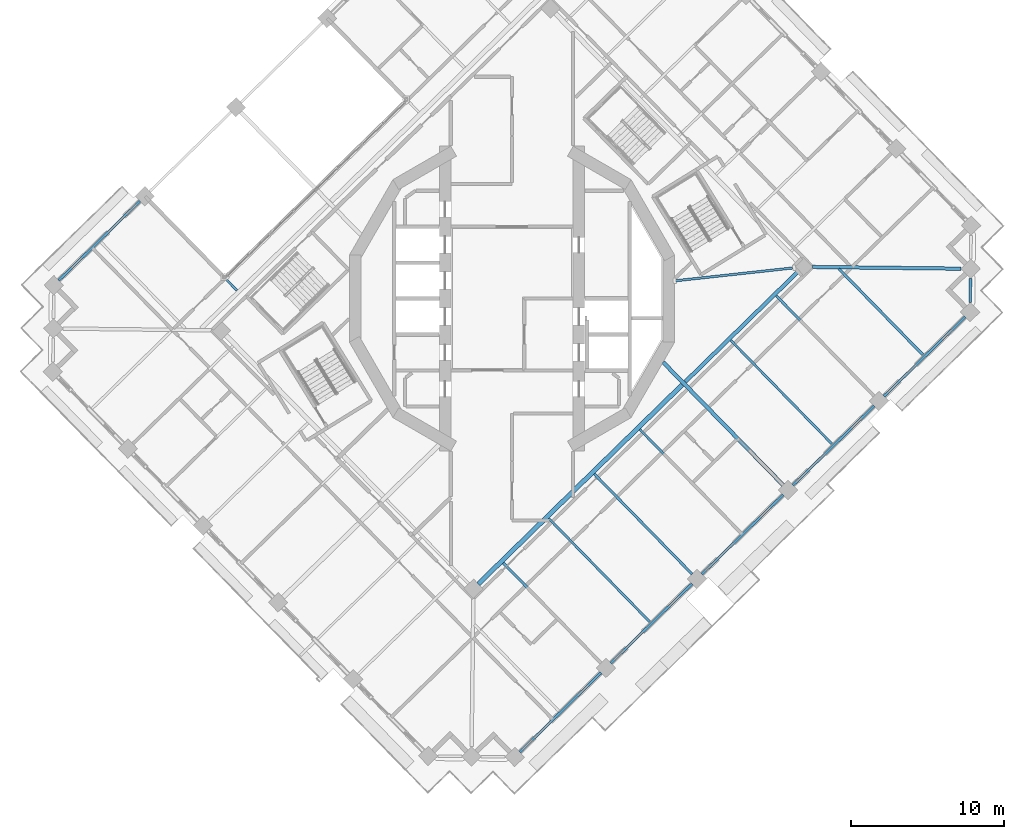
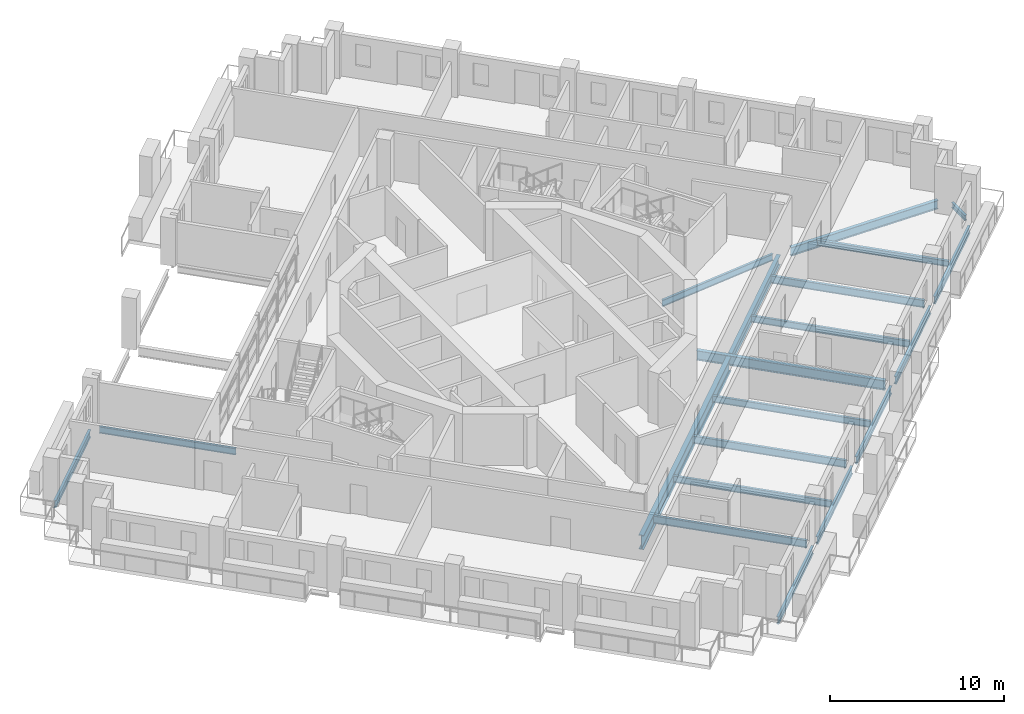
# One storey, part 3 of 21: 20 beams.
"""IFC4 building model written with IfcOpenShell, lengths in metres."""

from ifc_helpers import new_model, si_unit, direction, frame, origin, origin_2d, place, context, subcontext, project, spatial, i_section, extrude, material, material_profile, profile_set, type_object, element, save


model = new_model("IFC4")

# Units and contexts
model_context = context("Model", 3, precision=1e-05, world=origin(), true_north=direction((0.0, 1.0)))
body_context = subcontext(model_context, "Body", "Model", "MODEL_VIEW")
ifc_project = project(units=[si_unit("LENGTHUNIT", "METRE"), si_unit("AREAUNIT", "SQUARE_METRE"), si_unit("VOLUMEUNIT", "CUBIC_METRE"), si_unit("PLANEANGLEUNIT", "RADIAN"), si_unit("MASSUNIT", "GRAM", prefix="KILO")], contexts=[model_context])

# Site, building, storey
site_placement = place(None, origin())
site = spatial("IfcSite", under=ifc_project, at=site_placement, CompositionType="ELEMENT")
building_placement = place(site_placement, origin())
building = spatial("IfcBuilding", under=site, at=building_placement, Name="Cantera Rosa Tower", CompositionType="ELEMENT")
storey_placement = place(building_placement, frame((0.0, 0.0, 234.199951171875)))
storey = spatial("IfcBuildingStorey", under=building, at=storey_placement, Name="L51", CompositionType="ELEMENT", Elevation=234.199951171875)

# Beams
ifc_material_1 = material(Name="Steel ASTM A992 (Fy 345 MPa)", Category="steel")
ifc_material_profile_1 = material_profile(ifc_material_1, i_section(OverallWidth=0.302001953125, OverallDepth=1.010009765625, WebThickness=0.02099609375, FlangeThickness=0.0400390625, FilletRadius=0.030029296875, at=origin_2d()), Name="W1000X350")
ifc_profile_set_1 = profile_set([ifc_material_profile_1], Name="Steel ASTM A992 (Fy 345 MPa)")
beam_type_1 = type_object("IfcBeamType", Name="STEEL BEAM W1000X350", PredefinedType="BEAM", material=ifc_profile_set_1)
beam_1_placement = place(storey_placement, frame((-2.197021484375, -18.643310546875, -0.7548828125), z_axis=(0.715290925107, 0.698826797182, 0.0), x_axis=(-0.698826797182, 0.715290925107, 0.0)))
element("IfcBeam", 1, at=beam_1_placement, inside=storey, type_object=beam_type_1, Name="RB-Z4-03 L51", PredefinedType="BEAM", context=body_context, shape_type="SweptSolid", body=[
    extrude(i_section(OverallWidth=0.302001953125, OverallDepth=1.010009765625, WebThickness=0.02099609375, FlangeThickness=0.0400390625, FilletRadius=0.030029296875, at=origin_2d()), origin(), (0.0, 0.0, 1.0), 18.60986328125),
])
ifc_material_2 = material(Name="Steel ASTM A992 (Fy 345 MPa)", Category="steel")
ifc_material_profile_2 = material_profile(ifc_material_2, i_section(OverallWidth=0.154052734375, OverallDepth=0.4599609375, WebThickness=0.009033203125, FlangeThickness=0.015380859375, FilletRadius=0.01025390625, at=origin_2d()), Name="W460X68")
ifc_profile_set_2 = profile_set([ifc_material_profile_2], Name="Steel ASTM A992 (Fy 345 MPa)")
beam_type_2 = type_object("IfcBeamType", Name="STEEL BEAM W460X68", PredefinedType="BEAM", material=ifc_profile_set_2)
beam_2_placement = place(storey_placement, frame((-23.672119140625, 6.37109375, -0.47998046875), z_axis=(0.698836133494, -0.715281803574, 0.0), x_axis=(0.715281803574, 0.698836133494, 0.0)))
element("IfcBeam", 2, at=beam_2_placement, inside=storey, type_object=beam_type_2, Name="G-Z4-08 L51", PredefinedType="BEAM", context=body_context, shape_type="SweptSolid", body=[
    extrude(i_section(OverallWidth=0.154052734375, OverallDepth=0.4599609375, WebThickness=0.009033203125, FlangeThickness=0.015380859375, FilletRadius=0.01025390625, at=origin_2d()), origin(), (0.0, 0.0, 1.0), 8.150146484375),
])
beam_3_placement = place(storey_placement, frame((18.44287109375, 2.014892578125, -0.47998046875), z_axis=(-0.994086100692, -0.108594771563, 0.0), x_axis=(0.108594771563, -0.994086100692, 0.0)))
element("IfcBeam", 3, at=beam_3_placement, inside=storey, type_object=beam_type_2, Name="PG-Z4-01 L51", PredefinedType="BEAM", context=body_context, shape_type="SweptSolid", body=[
    extrude(i_section(OverallWidth=0.154052734375, OverallDepth=0.4599609375, WebThickness=0.009033203125, FlangeThickness=0.015380859375, FilletRadius=0.01025390625, at=origin_2d()), origin(), (0.0, 0.0, 1.0), 7.864013671875),
])
ifc_material_3 = material(Name="Steel ASTM A992 (Fy 345 MPa)", Category="steel")
ifc_material_profile_3 = material_profile(ifc_material_3, i_section(OverallWidth=0.166015625, OverallDepth=0.528076171875, WebThickness=0.009765625, FlangeThickness=0.013671875, FilletRadius=0.0126953125, at=origin_2d()), Name="W530X74")
ifc_profile_set_3 = profile_set([ifc_material_profile_3], Name="Steel ASTM A992 (Fy 345 MPa)")
beam_type_3 = type_object("IfcBeamType", Name="STEEL BEAM W530X74", PredefinedType="BEAM", material=ifc_profile_set_3)
for number, where, z_axis, x_axis, name in (
    (4, (5.818603515625, -23.81396484375, -0.513916015625), (-0.698827481213, 0.71529025682, 0.0), (-0.71529025682, -0.698827481213, 0.0), "G-Z4-09 L51"),
    (5, (11.769775390625, -17.999755859375, -0.513916015625), (-0.698827481213, 0.71529025682, 0.0), (-0.71529025682, -0.698827481213, 0.0), "G-Z4-10 L51"),
    (6, (23.672119140625, -6.37109375, -0.513916015625), (-0.698827481213, 0.71529025682, 0.0), (-0.71529025682, -0.698827481213, 0.0), "G-Z4-12 L51"),
):
    element("IfcBeam", number, at=place(storey_placement, frame(where, z_axis=z_axis, x_axis=x_axis)), inside=storey, type_object=beam_type_3, Name=name, PredefinedType="BEAM", context=body_context, shape_type="SweptSolid", body=[
        extrude(i_section(OverallWidth=0.166015625, OverallDepth=0.528076171875, WebThickness=0.009765625, FlangeThickness=0.013671875, FilletRadius=0.0126953125, at=origin_2d()), origin(), (0.0, 0.0, 1.0), 9.14990234375),
    ])
ifc_material_4 = material(Name="Steel ASTM A992 (Fy 345 MPa)", Category="steel")
ifc_material_profile_4 = material_profile(ifc_material_4, i_section(OverallWidth=0.22802734375, OverallDepth=0.60205078125, WebThickness=0.010498046875, FlangeThickness=0.014892578125, FilletRadius=0.0126953125, at=origin_2d()), Name="W610X101")
ifc_profile_set_4 = profile_set([ifc_material_profile_4], Name="Steel ASTM A992 (Fy 345 MPa)")
beam_type_4 = type_object("IfcBeamType", Name="STEEL BEAM W610X101", PredefinedType="BEAM", material=ifc_profile_set_4)
beam_4_placement = place(storey_placement, frame((29.334228515625, 1.95703125, -0.551025390625), z_axis=(-0.999932504919, 0.011618330597, 0.0), x_axis=(-0.011618330597, -0.999932504919, 0.0)))
element("IfcBeam", 7, at=beam_4_placement, inside=storey, type_object=beam_type_4, Name="CB-Z4-04 L51", PredefinedType="BEAM", context=body_context, shape_type="SweptSolid", body=[
    extrude(i_section(OverallWidth=0.22802734375, OverallDepth=0.60205078125, WebThickness=0.010498046875, FlangeThickness=0.014892578125, FilletRadius=0.0126953125, at=origin_2d()), origin(), (0.0, 0.0, 1.0), 9.687255859375),
])
ifc_material_5 = material(Name="Steel ASTM A992 (Fy 345 MPa)", Category="steel")
ifc_material_profile_5 = material_profile(ifc_material_5, i_section(OverallWidth=0.25390625, OverallDepth=0.677978515625, WebThickness=0.01171875, FlangeThickness=0.016357421875, FilletRadius=0.01513671875, at=origin_2d()), Name="W690X125")
ifc_profile_set_5 = profile_set([ifc_material_profile_5], Name="Steel ASTM A992 (Fy 345 MPa)")
beam_type_5 = type_object("IfcBeamType", Name="STEEL BEAM W690X125", PredefinedType="BEAM", material=ifc_profile_set_5)
beam_5_placement = place(storey_placement, frame((17.720947265625, -12.185302734375, -0.5888671875), z_axis=(-0.698831358516, 0.715286468734, 0.0), x_axis=(-0.715286468734, -0.698831358516, 0.0)))
element("IfcBeam", 8, at=beam_5_placement, inside=storey, type_object=beam_type_5, Name="G-Z4-11 L51", PredefinedType="BEAM", context=body_context, shape_type="SweptSolid", body=[
    extrude(i_section(OverallWidth=0.25390625, OverallDepth=0.677978515625, WebThickness=0.01171875, FlangeThickness=0.016357421875, FilletRadius=0.01513671875, at=origin_2d()), origin(), (0.0, 0.0, 1.0), 11.2314453125),
])
beam_6_placement = place(storey_placement, frame((11.3291015625, -5.428466796875, -0.5888671875), z_axis=(0.715291776896, 0.698825925324, 0.0), x_axis=(-0.698825925324, 0.715291776896, 0.0)))
element("IfcBeam", 9, at=beam_6_placement, inside=storey, type_object=beam_type_5, Name="RB-Z4-04 L51", PredefinedType="BEAM", context=body_context, shape_type="SweptSolid", body=[
    extrude(i_section(OverallWidth=0.25390625, OverallDepth=0.677978515625, WebThickness=0.01171875, FlangeThickness=0.016357421875, FilletRadius=0.01513671875, at=origin_2d()), origin(), (0.0, 0.0, 1.0), 10.2900390625),
])
ifc_material_6 = material(Name="Steel ASTM A992 (Fy 345 MPa)", Category="steel")
ifc_material_profile_6 = material_profile(ifc_material_6, i_section(OverallWidth=0.177978515625, OverallDepth=0.406005859375, WebThickness=0.0078125, FlangeThickness=0.0126953125, FilletRadius=0.01025390625, at=origin_2d()), Name="W410X60")
ifc_profile_set_6 = profile_set([ifc_material_profile_6], Name="Steel ASTM A992 (Fy 345 MPa)")
beam_type_6 = type_object("IfcBeamType", Name="STEEL JOIST W410X60", PredefinedType="JOIST", material=ifc_profile_set_6)
beam_7_placement = place(storey_placement, frame((26.857421875, -3.678466796875, -0.452880859375), z_axis=(-0.698843394481, 0.715274709458, 0.0), x_axis=(-0.715274709458, -0.698843394481, 0.0)))
element("IfcBeam", 10, at=beam_7_placement, inside=storey, type_object=beam_type_6, Name="B-Z4-15 L51", PredefinedType="JOIST", context=body_context, shape_type="SweptSolid", body=[
    extrude(i_section(OverallWidth=0.177978515625, OverallDepth=0.406005859375, WebThickness=0.0078125, FlangeThickness=0.0126953125, FilletRadius=0.01025390625, at=origin_2d()), origin(), (0.0, 0.0, 1.0), 7.860107421875),
])
ifc_material_7 = material(Name="Steel ASTM A992 (Fy 345 MPa)", Category="steel")
ifc_material_profile_7 = material_profile(ifc_material_7, i_section(OverallWidth=0.154052734375, OverallDepth=0.4599609375, WebThickness=0.009033203125, FlangeThickness=0.015380859375, FilletRadius=0.01025390625, at=origin_2d()), Name="W460X68")
ifc_profile_set_7 = profile_set([ifc_material_profile_7], Name="Steel ASTM A992 (Fy 345 MPa)")
beam_type_7 = type_object("IfcBeamType", Name="STEEL JOIST W460X68", PredefinedType="JOIST", material=ifc_profile_set_7)
beam_8_placement = place(storey_placement, frame((9.00390625, -21.121337890625, -0.47998046875), z_axis=(-0.698843443844, 0.715274661229, 0.0), x_axis=(-0.715274661229, -0.698843443844, 0.0)))
element("IfcBeam", 11, at=beam_8_placement, inside=storey, type_object=beam_type_7, Name="B-Z4-12 L51", PredefinedType="JOIST", context=body_context, shape_type="SweptSolid", body=[
    extrude(i_section(OverallWidth=0.154052734375, OverallDepth=0.4599609375, WebThickness=0.009033203125, FlangeThickness=0.015380859375, FilletRadius=0.01025390625, at=origin_2d()), origin(), (0.0, 0.0, 1.0), 9.449951171875),
])
for number, where, z_axis, x_axis, name in (
    (12, (14.955078125, -15.30712890625, -0.47998046875), (-0.698830529832, 0.715287278354, 0.0), (-0.715287278354, -0.698830529832, 0.0), "B-Z4-13 L51"),
    (13, (20.90625, -9.492919921875, -0.47998046875), (-0.698830529832, 0.715287278354, 0.0), (-0.715287278354, -0.698830529832, 0.0), "B-Z4-14 L51"),
):
    element("IfcBeam", number, at=place(storey_placement, frame(where, z_axis=z_axis, x_axis=x_axis)), inside=storey, type_object=beam_type_7, Name=name, PredefinedType="JOIST", context=body_context, shape_type="SweptSolid", body=[
        extrude(i_section(OverallWidth=0.154052734375, OverallDepth=0.4599609375, WebThickness=0.009033203125, FlangeThickness=0.015380859375, FilletRadius=0.01025390625, at=origin_2d()), origin(), (0.0, 0.0, 1.0), 9.4501953125),
    ])
ifc_material_8 = material(Name="Steel ASTM A992 (Fy 345 MPa)", Category="steel")
ifc_material_profile_8 = material_profile(ifc_material_8, i_section(OverallWidth=0.1708984375, OverallDepth=0.35595703125, WebThickness=0.00732421875, FlangeThickness=0.01171875, FilletRadius=0.010009765625, at=origin_2d()), Name="W360X51")
ifc_profile_set_8 = profile_set([ifc_material_profile_8], Name="Steel ASTM A992 (Fy 345 MPa)")
beam_type_8 = type_object("IfcBeamType", Name="STEEL SPANDREL BEAM W360X51", PredefinedType="SPANDREL", material=ifc_profile_set_8)
beam_9_placement = place(storey_placement, frame((29.945068359375, -0.242431640625, -0.427978515625), z_axis=(0.011769429589, 0.999930737865, 0.0), x_axis=(-0.999930737865, 0.011769429589, 0.0)))
element("IfcBeam", 14, at=beam_9_placement, inside=storey, type_object=beam_type_8, Name="EB-Z4-27 L51", PredefinedType="SPANDREL", context=body_context, shape_type="SweptSolid", body=[
    extrude(i_section(OverallWidth=0.1708984375, OverallDepth=0.35595703125, WebThickness=0.00732421875, FlangeThickness=0.01171875, FilletRadius=0.010009765625, at=origin_2d()), origin(), (0.0, 0.0, 1.0), 1.5556640625),
])
ifc_material_9 = material(Name="Steel ASTM A992 (Fy 345 MPa)", Category="steel")
ifc_material_profile_9 = material_profile(ifc_material_9, i_section(OverallWidth=0.166015625, OverallDepth=0.528076171875, WebThickness=0.009765625, FlangeThickness=0.013671875, FilletRadius=0.0126953125, at=origin_2d()), Name="W530X74")
ifc_profile_set_9 = profile_set([ifc_material_profile_9], Name="Steel ASTM A992 (Fy 345 MPa)")
beam_type_9 = type_object("IfcBeamType", Name="STEEL SPANDREL BEAM W530X74", PredefinedType="SPANDREL", material=ifc_profile_set_9)
beam_10_placement = place(storey_placement, frame((-24.308349609375, 6.37841796875, -0.513916015625), z_axis=(-0.715300826176, -0.698816662703, 0.0), x_axis=(0.698816662703, -0.715300826176, 0.0)))
element("IfcBeam", 15, at=beam_10_placement, inside=storey, type_object=beam_type_9, Name="EB-Z4-12 L51", PredefinedType="SPANDREL", context=body_context, shape_type="SweptSolid", body=[
    extrude(i_section(OverallWidth=0.166015625, OverallDepth=0.528076171875, WebThickness=0.009765625, FlangeThickness=0.013671875, FilletRadius=0.0126953125, at=origin_2d()), origin(), (0.0, 0.0, 1.0), 7.420166015625),
])
beam_11_placement = place(storey_placement, frame((0.503662109375, -29.6357421875, -0.513916015625), z_axis=(0.715284379566, 0.698833496871, 0.0), x_axis=(-0.698833496871, 0.715284379566, 0.0)))
element("IfcBeam", 16, at=beam_11_placement, inside=storey, type_object=beam_type_9, Name="EB-Z4-22 L51", PredefinedType="SPANDREL", context=body_context, shape_type="SweptSolid", body=[
    extrude(i_section(OverallWidth=0.166015625, OverallDepth=0.528076171875, WebThickness=0.009765625, FlangeThickness=0.013671875, FilletRadius=0.0126953125, at=origin_2d()), origin(), (0.0, 0.0, 1.0), 7.42041015625),
])
for number, where, z_axis, x_axis, name in (
    (17, (6.454833984375, -23.8212890625, -0.513916015625), (0.715300826176, 0.698816662703, 0.0), (-0.698816662703, 0.715300826176, 0.0), "EB-Z4-23 L51"),
    (18, (12.406005859375, -18.007080078125, -0.513916015625), (0.715300826176, 0.698816662703, 0.0), (-0.698816662703, 0.715300826176, 0.0), "EB-Z4-24 L51"),
    (19, (18.357177734375, -12.19287109375, -0.513916015625), (0.715300826176, 0.698816662703, 0.0), (-0.698816662703, 0.715300826176, 0.0), "EB-Z4-25 L51"),
    (20, (24.308349609375, -6.37841796875, -0.513916015625), (0.715300826176, 0.698816662703, 0.0), (-0.698816662703, 0.715300826176, 0.0), "EB-Z4-26 L51"),
):
    element("IfcBeam", number, at=place(storey_placement, frame(where, z_axis=z_axis, x_axis=x_axis)), inside=storey, type_object=beam_type_9, Name=name, PredefinedType="SPANDREL", context=body_context, shape_type="SweptSolid", body=[
        extrude(i_section(OverallWidth=0.166015625, OverallDepth=0.528076171875, WebThickness=0.009765625, FlangeThickness=0.013671875, FilletRadius=0.0126953125, at=origin_2d()), origin(), (0.0, 0.0, 1.0), 7.420166015625),
    ])

save(model, "model.ifc")
